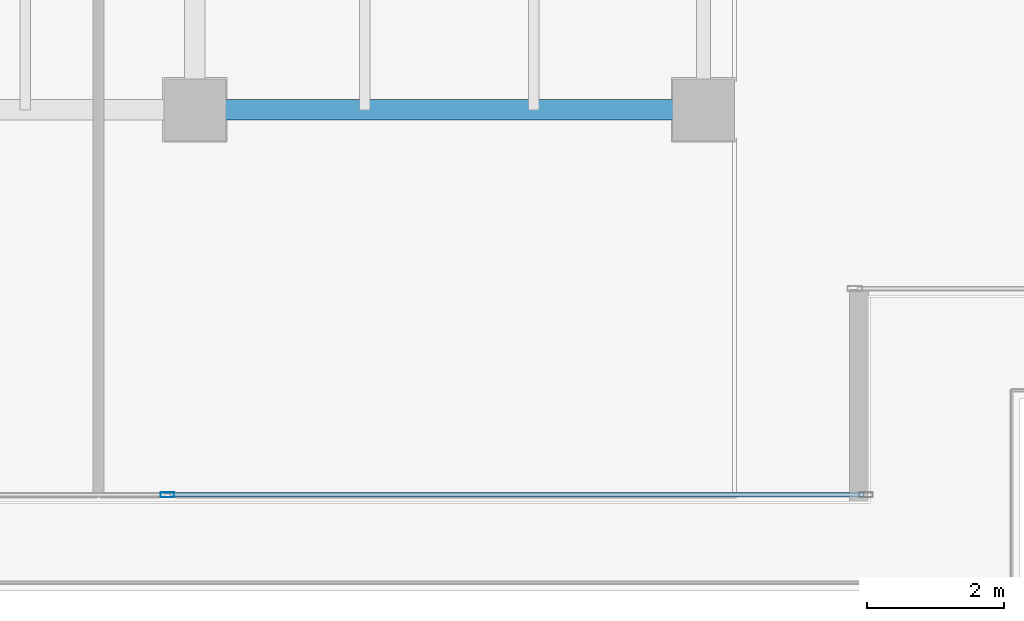
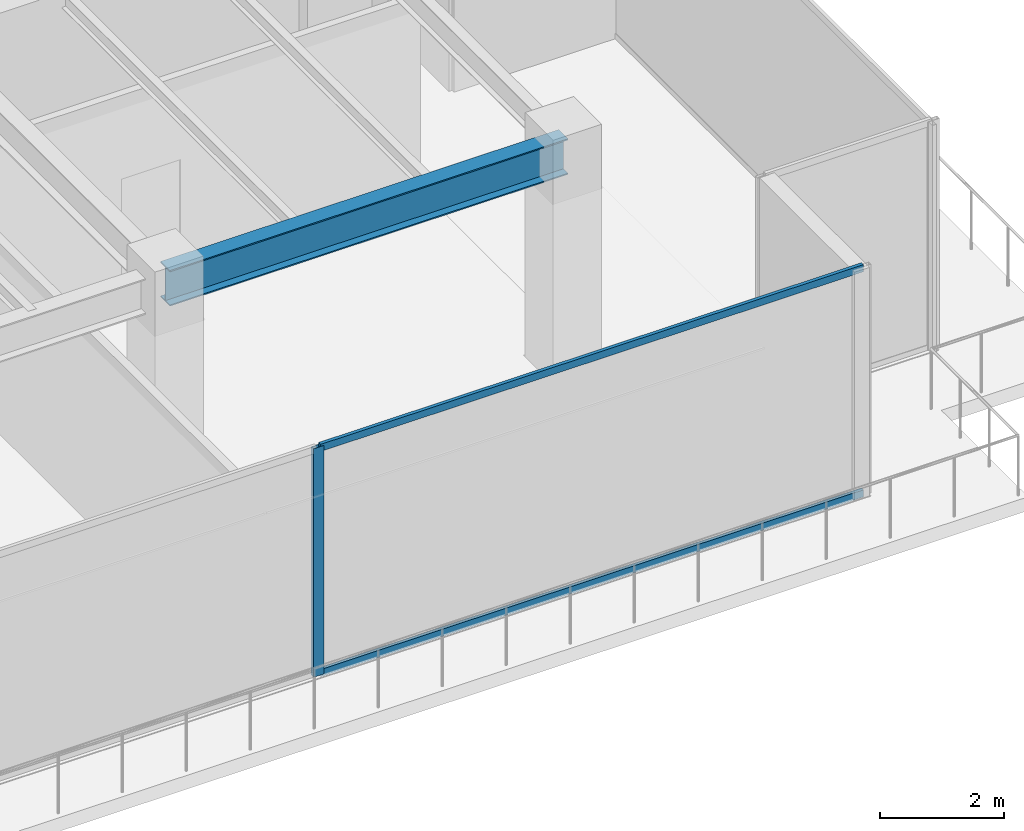
# One storey, part 12 of 33: 3 members, 1 beam, 1 element without a shape of its own.
"""IFC4 building model written with IfcOpenShell, lengths in metres."""

from ifc_helpers import new_model, si_unit, direction, frame, origin, origin_2d, place, context, subcontext, project, spatial, hollow_rectangle, i_section, extrude, source, transform, mapped, material, layer, layer_set, material_profile, profile_set, type_object, type_shapes, element, aggregate, save


model = new_model("IFC4")

# Units and contexts
model_context = context("Model", 3, precision=1e-05, world=origin(), true_north=direction((0.0, 1.0)))
body_context = subcontext(model_context, "Body", "Model", "MODEL_VIEW")
ifc_project = project(units=[si_unit("LENGTHUNIT", "METRE"), si_unit("AREAUNIT", "SQUARE_METRE"), si_unit("VOLUMEUNIT", "CUBIC_METRE"), si_unit("PLANEANGLEUNIT", "RADIAN"), si_unit("MASSUNIT", "GRAM", prefix="KILO")], contexts=[model_context])

# Site, building, storey
site_placement = place(None, origin())
site = spatial("IfcSite", under=ifc_project, at=site_placement, CompositionType="ELEMENT")
building_placement = place(site_placement, origin())
building = spatial("IfcBuilding", under=site, at=building_placement, Name="Haelvirn Gate Laboratories", CompositionType="ELEMENT")
storey_placement = place(building_placement, frame((0.0, 0.0, 100.300048828125)))
storey = spatial("IfcBuildingStorey", under=building, at=storey_placement, Name="L24", CompositionType="ELEMENT", Elevation=100.300048828125)

# Beam
ifc_material_1 = material(Name="Steel SM355", Category="steel")
ifc_material_profile_1 = material_profile(ifc_material_1, i_section(OverallWidth=0.300048828125, OverallDepth=0.699951171875, WebThickness=0.012939453125, FlangeThickness=0.02392578125, at=origin_2d()), Name="H-700x300x13x24")
ifc_profile_set_1 = profile_set([ifc_material_profile_1], Name="Steel SM355")
beam_type = type_object("IfcBeamType", Name="BM-G-700", PredefinedType="BEAM", material=ifc_profile_set_1)
shared_shape_1 = source(origin(), body_context, "Body", "SweptSolid", [
    extrude(i_section(OverallWidth=0.300048828125, OverallDepth=0.699951171875, WebThickness=0.012939453125, FlangeThickness=0.02392578125, at=origin_2d()), origin(), (0.0, 0.0, 1.0), 7.39990234375),
])
type_shapes(beam_type, [shared_shape_1])
beam_placement = place(storey_placement, frame((60.0, 7.0, 4.139892578125), z_axis=(1.0, 0.0, 0.0), x_axis=(0.0, 1.0, 0.0)))
element("IfcBeam", 1, at=beam_placement, inside=storey, type_object=beam_type, Name="L24 Primary Girder Y7.0 (60.0-67.4)", PredefinedType="BEAM", context=body_context, shape_type="MappedRepresentation", body=[
    mapped(shared_shape_1, transform((0.0, 0.0, 0.0), scale=1.0)),
])

# Curtain wall, members
ifc_material_2 = material(Name="Anodised bronze unitised aluminium & triple low-E glass", Category="aluminium")
ifc_layer = layer(ifc_material_2, 0.179931640625, Name="CW-SYS-3")
ifc_layer_set = layer_set([ifc_layer], Name="Anodised bronze unitised aluminium & triple low-E glass")
curtain_wall_type = type_object("IfcCurtainWallType", Name="CW-SYS-3", PredefinedType="NOTDEFINED", material=ifc_layer_set)
curtain_wall_placement = place(storey_placement, origin())
curtain_wall = element("IfcCurtainWall", 2, at=curtain_wall_placement, inside=storey, type_object=curtain_wall_type, Name="L24 Unitised Curtain Wall CW-L24-P0-E04-1", PredefinedType="NOTDEFINED")
ifc_material_3 = material(Name="Extruded aluminium 6063-T6 (anodised bronze)", Category="aluminium")
ifc_material_profile_2 = material_profile(ifc_material_3, hollow_rectangle(XDim=0.074951171875, YDim=0.199951171875, WallThickness=0.0048828125, at=origin_2d()), Name="CWM-200x75x5")
ifc_profile_set_2 = profile_set([ifc_material_profile_2], Name="Extruded aluminium 6063-T6 (anodised bronze)")
member_type_1 = type_object("IfcMemberType", Name="CWM-T200", PredefinedType="MULLION", material=ifc_profile_set_2)
shared_shape_2 = source(origin(), body_context, "Body", "SweptSolid", [
    extrude(hollow_rectangle(XDim=0.074951171875, YDim=0.199951171875, WallThickness=0.0048828125, at=origin_2d()), origin(), (0.0, 0.0, 1.0), 4.489990234375),
])
type_shapes(member_type_1, [shared_shape_2])
member_1_placement = place(storey_placement, frame((59.60009765625, 1.39990234375, 0.0), z_axis=(0.0, 0.0, 1.0), x_axis=(0.0, 1.0, 0.0)))
member_1 = element("IfcMember", 3, at=member_1_placement, type_object=member_type_1, Name="CW3 mullion 2", PredefinedType="MULLION", context=body_context, shape_type="MappedRepresentation", body=[
    mapped(shared_shape_2, transform((0.0, 0.0, 0.0), scale=1.0)),
])
ifc_material_profile_3 = material_profile(ifc_material_3, hollow_rectangle(XDim=0.06494140625, YDim=0.139892578125, WallThickness=0.00390625, at=origin_2d()), Name="CWT-140x65x4")
ifc_profile_set_3 = profile_set([ifc_material_profile_3], Name="Extruded aluminium 6063-T6 (anodised bronze)")
member_type_2 = type_object("IfcMemberType", Name="CWT-T140", PredefinedType="USERDEFINED", material=ifc_profile_set_3)
shared_shape_3 = source(origin(), body_context, "Body", "SweptSolid", [
    extrude(hollow_rectangle(XDim=0.06494140625, YDim=0.139892578125, WallThickness=0.00390625, at=origin_2d()), origin(), (0.0, 0.0, 1.0), 10.087646484375),
])
type_shapes(member_type_2, [shared_shape_3])
member_2_placement = place(storey_placement, frame((59.637451171875, 1.39990234375, 0.032470703125), z_axis=(1.0, 0.0, 0.0), x_axis=(0.0, 1.0, 0.0)))
member_2 = element("IfcMember", 4, at=member_2_placement, type_object=member_type_2, Name="CW3 transom 2.1", ObjectType="TRANSOM", PredefinedType="USERDEFINED", context=body_context, shape_type="MappedRepresentation", body=[
    mapped(shared_shape_3, transform((0.0, 0.0, 0.0), scale=1.0)),
])
member_3_placement = place(storey_placement, frame((59.637451171875, 1.39990234375, 4.45751953125), z_axis=(1.0, 0.0, 0.0), x_axis=(0.0, 1.0, 0.0)))
member_3 = element("IfcMember", 5, at=member_3_placement, type_object=member_type_2, Name="CW3 transom 2.2", ObjectType="TRANSOM", PredefinedType="USERDEFINED", context=body_context, shape_type="MappedRepresentation", body=[
    mapped(shared_shape_3, transform((0.0, 0.0, 0.0), scale=1.0)),
])
aggregate(curtain_wall, [member_1, member_2, member_3])

save(model, "model.ifc")
